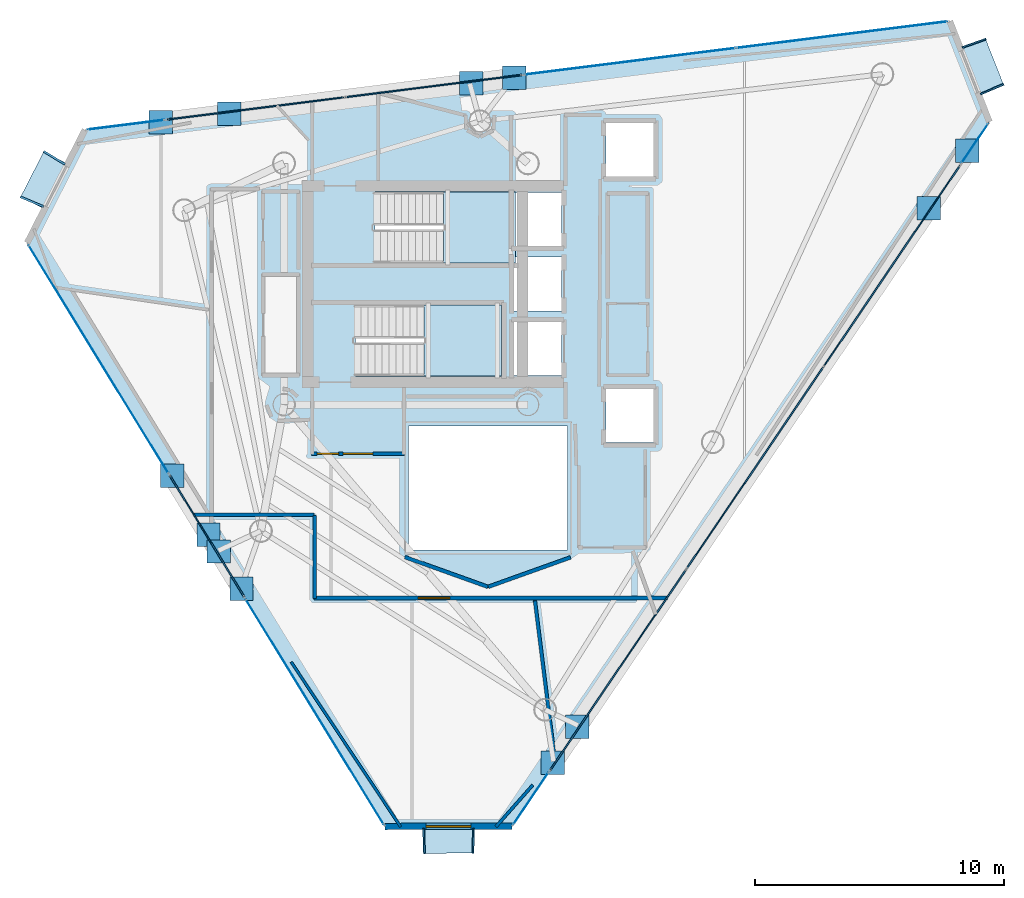
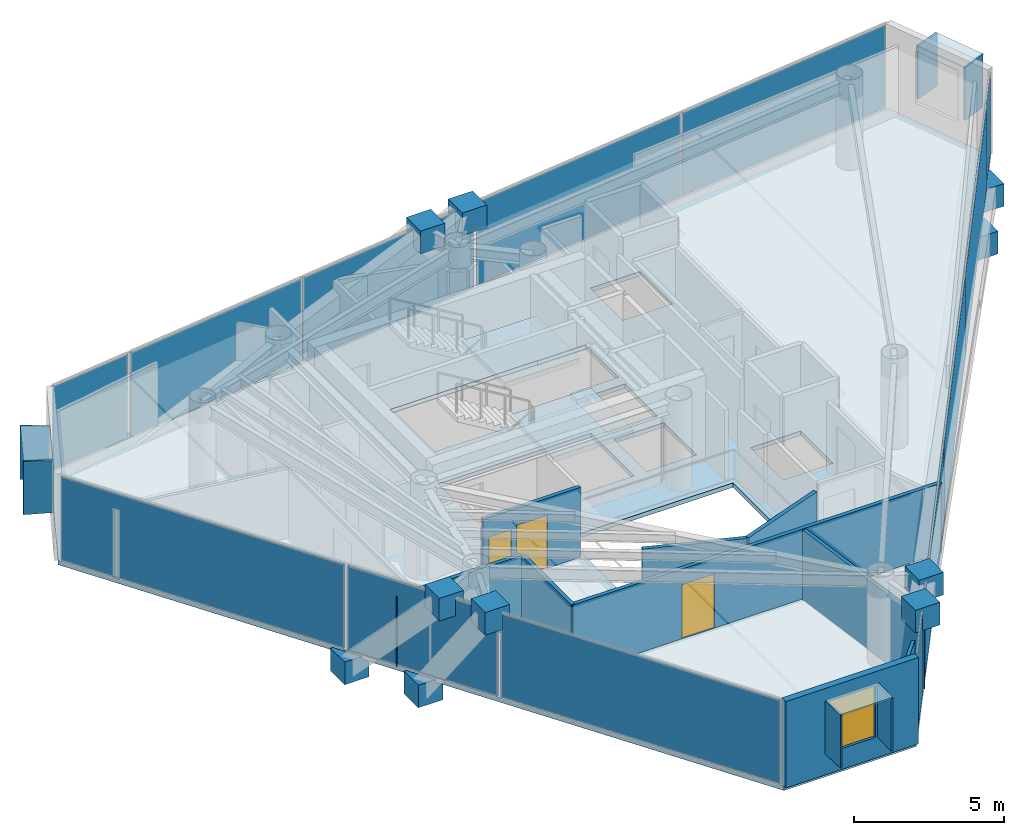
# One storey, part 18 of 23: 34 plates, 10 walls, 3 doors, 3 slabs, 1 window, 4 openings, 11 elements without a shape of their own.
"""IFC4 building model written with IfcOpenShell, lengths in metres."""

from ifc_helpers import new_model, si_unit, direction, frame, frame_2d, origin, origin_2d, place, context, subcontext, project, spatial, polyline, rectangle, outline, extrude, material, layer, layer_set, type_object, element, fill, aggregate, save


model = new_model("IFC4")

# Units and contexts
model_context = context("Model", 3, precision=1e-05, world=origin(), true_north=direction((0.0, 1.0)))
body_context = subcontext(model_context, "Body", "Model", "MODEL_VIEW")
ifc_project = project(units=[si_unit("LENGTHUNIT", "METRE"), si_unit("AREAUNIT", "SQUARE_METRE"), si_unit("VOLUMEUNIT", "CUBIC_METRE"), si_unit("PLANEANGLEUNIT", "RADIAN"), si_unit("MASSUNIT", "GRAM", prefix="KILO")], contexts=[model_context])

# Site, building, storey
site_placement = place(None, origin())
site = spatial("IfcSite", under=ifc_project, at=site_placement, CompositionType="ELEMENT")
building_placement = place(site_placement, origin())
building = spatial("IfcBuilding", under=site, at=building_placement, Name="Qianvela Tower", CompositionType="ELEMENT")
storey_placement = place(building_placement, frame((0.0, 0.0, 284.300048828125)))
storey = spatial("IfcBuildingStorey", under=building, at=storey_placement, Name="L73", CompositionType="ELEMENT", Elevation=284.300048828125)

# Curtain wall, plates
ifc_material_1 = material(Name="Anodised Architectural Aluminium and Insulated Spandrel Panel", Category="aluminium")
ifc_layer_1 = layer(ifc_material_1, 0.179931640625)
ifc_layer_set_1 = layer_set([ifc_layer_1], Name="Anodised Architectural Aluminium and Insulated Spandrel Panel")
curtain_wall_type_1 = type_object("IfcCurtainWallType", Name="CW-BRACEBAY", PredefinedType="USERDEFINED", material=ifc_layer_set_1)
curtain_wall_1_placement = place(storey_placement, origin())
curtain_wall_1 = element("IfcCurtainWall", 1, at=curtain_wall_1_placement, inside=storey, type_object=curtain_wall_type_1, Name="L73 CW-BRACEBAY Curtain Wall 02B", ObjectType="CURTAIN_WALL_SYSTEM", PredefinedType="USERDEFINED")
ifc_material_2 = material(Name="Insulated Aluminium Spandrel Panel with Mineral-Wool Backpan", Category="aluminium")
ifc_layer_2 = layer(ifc_material_2, 0.06005859375)
ifc_layer_set_2 = layer_set([ifc_layer_2], Name="Insulated Aluminium Spandrel Panel with Mineral-Wool Backpan")
plate_type_1 = type_object("IfcPlateType", Name="CW-BRACEBAY-PNL", PredefinedType="CURTAIN_PANEL", material=ifc_layer_set_2)
plate_1_placement = place(storey_placement, frame((34.612548828125, 36.655517578125, 0.06494140625), z_axis=(0.0, 0.0, 1.0), x_axis=(-0.992186234389, -0.124765685539, 0.0)))
plate_1 = element("IfcPlate", 2, at=plate_1_placement, type_object=plate_type_1, Name="CW-9 panel 1.1", PredefinedType="CURTAIN_PANEL", context=body_context, shape_type="SweptSolid", body=[
    extrude(rectangle(XDim=7.142578125, YDim=0.06005859375, at=origin_2d()), origin(), (0.0, 0.0, 1.0), 3.389892578125),
])
plate_2_placement = place(storey_placement, frame((27.46142578125, 35.75634765625, 0.06494140625), z_axis=(0.0, 0.0, 1.0), x_axis=(-0.992186234389, -0.124765685539, 0.0)))
plate_2 = element("IfcPlate", 3, at=plate_2_placement, type_object=plate_type_1, Name="CW-9 panel 2.1", PredefinedType="CURTAIN_PANEL", context=body_context, shape_type="SweptSolid", body=[
    extrude(rectangle(XDim=7.142578125, YDim=0.06005859375, at=origin_2d()), origin(), (0.0, 0.0, 1.0), 3.389892578125),
])
aggregate(curtain_wall_1, [plate_1, plate_2])

# Curtain wall, plate
curtain_wall_2_placement = place(storey_placement, origin())
curtain_wall_2 = element("IfcCurtainWall", 4, at=curtain_wall_2_placement, inside=storey, type_object=curtain_wall_type_1, Name="L73 CW-BRACEBAY Curtain Wall 04B", ObjectType="CURTAIN_WALL_SYSTEM", PredefinedType="USERDEFINED")
plate_3_placement = place(storey_placement, frame((25.505859375, 18.56494140625, 0.06494140625), z_axis=(0.0, 0.0, 1.0), x_axis=(0.522790496733, -0.852461199425, 0.0)))
plate_3 = element("IfcPlate", 5, at=plate_3_placement, type_object=plate_type_1, Name="CW-9 panel 1.1", PredefinedType="CURTAIN_PANEL", context=body_context, shape_type="SweptSolid", body=[
    extrude(rectangle(XDim=5.699951171875, YDim=0.06005859375, at=origin_2d()), origin(), (0.0, 0.0, 1.0), 3.389892578125),
])
aggregate(curtain_wall_2, [plate_3])

# Curtain wall, plates
curtain_wall_3_placement = place(storey_placement, origin())
curtain_wall_3 = element("IfcCurtainWall", 6, at=curtain_wall_3_placement, inside=storey, type_object=curtain_wall_type_1, Name="L73 CW-BRACEBAY Curtain Wall 06B", ObjectType="CURTAIN_WALL_SYSTEM", PredefinedType="USERDEFINED")
plate_4_placement = place(storey_placement, frame((42.024658203125, 13.189697265625, 0.06494140625), z_axis=(0.0, 0.0, 1.0), x_axis=(0.561030991922, 0.827794797098, 0.0)))
plate_4 = element("IfcPlate", 7, at=plate_4_placement, type_object=plate_type_1, Name="CW-9 panel 1.1", PredefinedType="CURTAIN_PANEL", context=body_context, shape_type="SweptSolid", body=[
    extrude(rectangle(XDim=9.729248046875, YDim=0.06005859375, at=origin_2d()), origin(), (0.0, 0.0, 1.0), 3.389892578125),
])
plate_5_placement = place(storey_placement, frame((47.52880859375, 21.310546875, 0.06494140625), z_axis=(0.0, 0.0, 1.0), x_axis=(0.561030991922, 0.827794797098, 0.0)))
plate_5 = element("IfcPlate", 8, at=plate_5_placement, type_object=plate_type_1, Name="CW-9 panel 2.1", PredefinedType="CURTAIN_PANEL", context=body_context, shape_type="SweptSolid", body=[
    extrude(rectangle(XDim=9.76171875, YDim=0.06005859375, at=origin_2d()), origin(), (0.0, 0.0, 1.0), 3.389892578125),
])
plate_6_placement = place(storey_placement, frame((53.03271484375, 29.431640625, 0.06494140625), z_axis=(0.0, 0.0, 1.0), x_axis=(0.561030991922, 0.827794797098, 0.0)))
plate_6 = element("IfcPlate", 9, at=plate_6_placement, type_object=plate_type_1, Name="CW-9 panel 3.1", PredefinedType="CURTAIN_PANEL", context=body_context, shape_type="SweptSolid", body=[
    extrude(rectangle(XDim=9.729248046875, YDim=0.06005859375, at=origin_2d()), origin(), (0.0, 0.0, 1.0), 3.389892578125),
])
aggregate(curtain_wall_3, [plate_4, plate_5, plate_6])

ifc_material_3 = material(Name="Anodised Architectural Aluminium and Low-E Glass", Category="aluminium")
ifc_layer_3 = layer(ifc_material_3, 0.14990234375)
ifc_layer_set_3 = layer_set([ifc_layer_3], Name="Anodised Architectural Aluminium and Low-E Glass")
curtain_wall_type_2 = type_object("IfcCurtainWallType", Name="CW-COLIV-Z78", PredefinedType="USERDEFINED", material=ifc_layer_set_3)
curtain_wall_4_placement = place(storey_placement, origin())
curtain_wall_4 = element("IfcCurtainWall", 10, at=curtain_wall_4_placement, inside=storey, type_object=curtain_wall_type_2, Name="L73 CW-COLIV-Z78 Curtain Wall 02A", ObjectType="CURTAIN_WALL_SYSTEM", PredefinedType="USERDEFINED")
ifc_material_4 = material(Name="Double-Silver Low-E Insulated Glass", Category="glass")
ifc_layer_4 = layer(ifc_material_4, 0.02587890625)
ifc_layer_set_4 = layer_set([ifc_layer_4], Name="Double-Silver Low-E Insulated Glass")
plate_type_2 = type_object("IfcPlateType", Name="CW-COLIV-Z78-PNL", PredefinedType="CURTAIN_PANEL", material=ifc_layer_set_4)
plate_7_placement = place(storey_placement, frame((51.01953125, 38.71875, 0.06005859375), z_axis=(0.0, 0.0, 1.0), x_axis=(-0.992186750354, -0.124761582312, 0.0)))
plate_7 = element("IfcPlate", 11, at=plate_7_placement, type_object=plate_type_2, Name="CW-6 panel 1.1", PredefinedType="CURTAIN_PANEL", context=body_context, shape_type="SweptSolid", body=[
    extrude(rectangle(XDim=8.52001953125, YDim=0.02587890625, at=origin_2d()), origin(), (0.0, 0.0, 1.0), 3.39990234375),
])
plate_8_placement = place(storey_placement, frame((42.506591796875, 37.648193359375, 0.06005859375), z_axis=(0.0, 0.0, 1.0), x_axis=(-0.992186750354, -0.124761582312, 0.0)))
plate_8 = element("IfcPlate", 12, at=plate_8_placement, type_object=plate_type_2, Name="CW-6 panel 2.1", PredefinedType="CURTAIN_PANEL", context=body_context, shape_type="SweptSolid", body=[
    extrude(rectangle(XDim=8.52001953125, YDim=0.02587890625, at=origin_2d()), origin(), (0.0, 0.0, 1.0), 3.39990234375),
])
aggregate(curtain_wall_4, [plate_7, plate_8])

# Curtain wall, plate
curtain_wall_5_placement = place(storey_placement, origin())
curtain_wall_5 = element("IfcCurtainWall", 13, at=curtain_wall_5_placement, inside=storey, type_object=curtain_wall_type_2, Name="L73 CW-COLIV-Z78 Curtain Wall 02C", ObjectType="CURTAIN_WALL_SYSTEM", PredefinedType="USERDEFINED")
plate_9_placement = place(storey_placement, frame((22.2529296875, 35.1015625, 0.06005859375), z_axis=(0.0, 0.0, 1.0), x_axis=(-0.992187007824, -0.124759534724, 0.0)))
plate_9 = element("IfcPlate", 14, at=plate_9_placement, type_object=plate_type_2, Name="CW-6 panel 1.1", PredefinedType="CURTAIN_PANEL", context=body_context, shape_type="SweptSolid", body=[
    extrude(rectangle(XDim=3.106201171875, YDim=0.02587890625, at=origin_2d()), origin(), (0.0, 0.0, 1.0), 3.39990234375),
])
aggregate(curtain_wall_5, [plate_9])

curtain_wall_6_placement = place(storey_placement, origin())
curtain_wall_6 = element("IfcCurtainWall", 15, at=curtain_wall_6_placement, inside=storey, type_object=curtain_wall_type_2, Name="L73 CW-COLIV-Z78 Curtain Wall 04A", ObjectType="CURTAIN_WALL_SYSTEM", PredefinedType="USERDEFINED")
plate_10_placement = place(storey_placement, frame((21.143310546875, 25.6787109375, 0.06005859375), z_axis=(0.0, 0.0, 1.0), x_axis=(0.522798042011, -0.852456572072, 0.0)))
plate_10 = element("IfcPlate", 16, at=plate_10_placement, type_object=plate_type_2, Name="CW-6 panel 1.1", PredefinedType="CURTAIN_PANEL", context=body_context, shape_type="SweptSolid", body=[
    extrude(rectangle(XDim=10.739990234375, YDim=0.02587890625, at=origin_2d()), origin(), (0.0, 0.0, 1.0), 3.39990234375),
])
aggregate(curtain_wall_6, [plate_10])

curtain_wall_7_placement = place(storey_placement, origin())
curtain_wall_7 = element("IfcCurtainWall", 17, at=curtain_wall_7_placement, inside=storey, type_object=curtain_wall_type_2, Name="L73 CW-COLIV-Z78 Curtain Wall 04C", ObjectType="CURTAIN_WALL_SYSTEM", PredefinedType="USERDEFINED")
plate_11_placement = place(storey_placement, frame((29.833251953125, 11.5087890625, 0.06005859375), z_axis=(0.0, 0.0, 1.0), x_axis=(0.522796211355, -0.852457694782, 0.0)))
plate_11 = element("IfcPlate", 18, at=plate_11_placement, type_object=plate_type_2, Name="CW-6 panel 1.1", PredefinedType="CURTAIN_PANEL", context=body_context, shape_type="SweptSolid", body=[
    extrude(rectangle(XDim=10.604736328125, YDim=0.02587890625, at=origin_2d()), origin(), (0.0, 0.0, 1.0), 3.39990234375),
])
aggregate(curtain_wall_7, [plate_11])

curtain_wall_8_placement = place(storey_placement, origin())
curtain_wall_8 = element("IfcCurtainWall", 19, at=curtain_wall_8_placement, inside=storey, type_object=curtain_wall_type_2, Name="L73 CW-COLIV-Z78 Curtain Wall 06A", ObjectType="CURTAIN_WALL_SYSTEM", PredefinedType="USERDEFINED")
plate_12_placement = place(storey_placement, frame((38.527099609375, 8.028564453125, 0.06005859375), z_axis=(0.0, 0.0, 1.0), x_axis=(0.561015032882, 0.827805612979, 0.0)))
plate_12 = element("IfcPlate", 20, at=plate_12_placement, type_object=plate_type_2, Name="CW-6 panel 1.1", PredefinedType="CURTAIN_PANEL", context=body_context, shape_type="SweptSolid", body=[
    extrude(rectangle(XDim=2.489990234375, YDim=0.02587890625, at=origin_2d()), origin(), (0.0, 0.0, 1.0), 3.39990234375),
])
aggregate(curtain_wall_8, [plate_12])

curtain_wall_9_placement = place(storey_placement, origin())
curtain_wall_9 = element("IfcCurtainWall", 21, at=curtain_wall_9_placement, inside=storey, type_object=curtain_wall_type_2, Name="L73 CW-COLIV-Z78 Curtain Wall 06C", ObjectType="CURTAIN_WALL_SYSTEM", PredefinedType="USERDEFINED")
plate_13_placement = place(storey_placement, frame((56.360595703125, 34.342041015625, 0.06005859375), z_axis=(0.0, 0.0, 1.0), x_axis=(0.561004777465, 0.827812563122, 0.0)))
plate_13 = element("IfcPlate", 22, at=plate_13_placement, type_object=plate_type_2, Name="CW-6 panel 1.1", PredefinedType="CURTAIN_PANEL", context=body_context, shape_type="SweptSolid", body=[
    extrude(rectangle(XDim=1.884521484375, YDim=0.02587890625, at=origin_2d()), origin(), (0.0, 0.0, 1.0), 3.39990234375),
])
aggregate(curtain_wall_9, [plate_13])

# Plates
ifc_material_5 = material(Name="Steel Q420GJC", Category="steel")
ifc_layer_5 = layer(ifc_material_5, 0.1298828125)
ifc_layer_set_5 = layer_set([ifc_layer_5], Name="Steel Q420GJC")
plate_type_3 = type_object("IfcPlateType", Name="PT-ENDCAP-130", PredefinedType="USERDEFINED", material=ifc_layer_set_5)
for number, where, z_axis, x_axis, name in (
    (23, (26.4013671875, 35.54248046875, -0.96044921875), (0.0, 0.0, 1.0), (1.0, 0.0, 0.0), "L73 Hollow Section End Cap Plate A"),
    (24, (37.859375, 36.983154296875, 2.776611328125), (0.0, 0.0, 1.0), (1.0, 0.0, 0.0), "L73 Hollow Section End Cap Plate B"),
    (25, (23.64111328125, 35.1953125, -0.959228515625), (0.0, 0.0, 1.0), (1.0, 0.0, 0.0), "L73 Hollow Section End Cap Plate A"),
    (26, (36.120849609375, 36.7646484375, 2.775146484375), (0.0, 0.0, 1.0), (1.0, 0.0, 0.0), "L73 Hollow Section End Cap Plate B"),
    (27, (24.106689453125, 20.9990234375, -0.985595703125), (0.0, 0.0, 1.0), (1.0, 0.0, 0.0), "L73 Hollow Section End Cap Plate A"),
    (28, (25.97900390625, 17.94677734375, 2.801513671875), (0.0, 0.0, 1.0), (1.0, 0.0, 0.0), "L73 Hollow Section End Cap Plate B"),
    (29, (25.565185546875, 18.621337890625, -0.991943359375), (0.0, 0.0, 1.0), (1.0, 0.0, 0.0), "L73 Hollow Section End Cap Plate A"),
    (30, (26.89111328125, 16.45947265625, 2.807861328125), (0.0, 0.0, 1.0), (1.0, 0.0, 0.0), "L73 Hollow Section End Cap Plate B"),
    (31, (54.5068359375, 31.74951171875, -0.9501953125), (0.0, 0.0, 1.0), (1.0, 0.0, 0.0), "L73 Hollow Section End Cap Plate A"),
    (32, (39.39990234375, 9.458984375, 2.76611328125), (0.0, 0.0, 1.0), (1.0, 0.0, 0.0), "L73 Hollow Section End Cap Plate B"),
    (33, (56.0673828125, 34.052001953125, -0.949951171875), (0.0, 0.0, 1.0), (1.0, 0.0, 0.0), "L73 Hollow Section End Cap Plate A"),
    (34, (40.3828125, 10.90966796875, 2.765869140625), (0.0, 0.0, 1.0), (1.0, 0.0, 0.0), "L73 Hollow Section End Cap Plate B"),
):
    element("IfcPlate", number, at=place(storey_placement, frame(where, z_axis=z_axis, x_axis=x_axis)), inside=storey, type_object=plate_type_3, Name=name, ObjectType="END_CAP", PredefinedType="USERDEFINED", context=body_context, shape_type="SweptSolid", body=[
        extrude(rectangle(XDim=0.93994140625, YDim=0.93994140625, at=origin_2d()), origin(), (0.0, 0.0, 1.0), 0.919921875),
    ])

# Slab
ifc_material_6 = material(Name="Concrete C40", Category="concrete")
ifc_layer_6 = layer(ifc_material_6, 0.179931640625)
ifc_layer_set_6 = layer_set([ifc_layer_6], Name="Concrete C40")
slab_type_1 = type_object("IfcSlabType", Name="SL-FLOOR-180", PredefinedType="FLOOR", material=ifc_layer_set_6)
slab_1_placement = place(storey_placement, frame((0.0, 0.0, -0.179931640625)))
element("IfcSlab", 35, at=slab_1_placement, inside=storey, type_object=slab_type_1, Name="L73 Composite Structural Floor Slab", PredefinedType="FLOOR", context=body_context, shape_type="SweptSolid", body=[
    extrude(outline(polyline([(56.950927734375, 35.212890625), (55.35546875, 39.263916015625), (20.602783203125, 34.89404296875), (18.2783203125, 30.35009765625), (32.662841796875, 6.89501953125), (37.766845703125, 6.906982421875), (56.950927734375, 35.212890625)]), holes=[polyline([(40.0, 23.0), (33.60009765625, 23.0), (33.60009765625, 18.0), (40.0, 18.0), (40.0, 23.0)]), polyline([(43.4599609375, 24.47998046875), (41.5400390625, 24.47998046875), (41.5400390625, 22.320068359375), (43.4599609375, 22.320068359375), (43.4599609375, 24.47998046875)]), polyline([(39.760009765625, 27.179931640625), (37.840087890625, 27.179931640625), (37.840087890625, 25.02001953125), (39.760009765625, 25.02001953125), (39.760009765625, 27.179931640625)]), polyline([(37.35009765625, 27.860107421875), (31.469970703125, 27.860107421875), (31.469970703125, 25.0), (37.35009765625, 25.0), (37.35009765625, 27.860107421875)]), polyline([(39.760009765625, 27.6201171875), (39.760009765625, 29.780029296875), (37.89990234375, 29.780029296875), (37.89990234375, 30.219970703125), (39.760009765625, 30.219970703125), (39.760009765625, 32.3798828125), (37.89990234375, 32.3798828125), (37.89990234375, 32.39990234375), (32.25, 32.39990234375), (32.25, 29.5400390625), (37.840087890625, 29.5400390625), (37.840087890625, 27.6201171875), (39.760009765625, 27.6201171875)]), polyline([(43.4599609375, 35.179931640625), (41.5400390625, 35.179931640625), (41.5400390625, 33.02001953125), (43.4599609375, 33.02001953125), (43.4599609375, 35.179931640625)])]), origin(), (0.0, 0.0, 1.0), 0.179931640625),
])

# Stair, slab
ifc_material_7 = material(Name="Concrete C40", Category="concrete")
stair_type = type_object("IfcStairType", Name="ST-DOGLEG-1350-R168-N22", PredefinedType="HALF_TURN_STAIR", material=ifc_material_7)
stair_1_placement = place(storey_placement, origin())
stair_1 = element("IfcStair", 36, at=stair_1_placement, inside=storey, type_object=stair_type, Name="L73 Smoke-Proof Core Stair ST-1", PredefinedType="HALF_TURN_STAIR")
ifc_material_8 = material(Name="Concrete C40", Category="concrete")
ifc_layer_7 = layer(ifc_material_8, 0.199951171875)
ifc_layer_set_7 = layer_set([ifc_layer_7], Name="Concrete C40")
slab_type_2 = type_object("IfcSlabType", Name="SL-STAIR-LANDING-200", PredefinedType="LANDING", material=ifc_layer_set_7)
slab_2_placement = place(storey_placement, frame((0.0, 0.0, 1.64990234375)))
slab_2 = element("IfcSlab", 37, at=slab_2_placement, type_object=slab_type_2, Name="ST-1 landing 1", PredefinedType="LANDING", context=body_context, shape_type="SweptSolid", body=[
    extrude(outline(polyline([(35.0, 29.5400390625), (37.89990234375, 29.5400390625), (37.89990234375, 32.39990234375), (35.0, 32.39990234375), (35.0, 29.5400390625)])), origin(), (0.0, 0.0, 1.0), 0.199951171875),
])
aggregate(stair_1, [slab_2])

stair_2_placement = place(storey_placement, origin())
stair_2 = element("IfcStair", 38, at=stair_2_placement, inside=storey, type_object=stair_type, Name="L73 Smoke-Proof Core Stair ST-2", PredefinedType="HALF_TURN_STAIR")
slab_3_placement = place(storey_placement, frame((0.0, 0.0, 1.64990234375)))
slab_3 = element("IfcSlab", 39, at=slab_3_placement, type_object=slab_type_2, Name="ST-2 landing 1", PredefinedType="LANDING", context=body_context, shape_type="SweptSolid", body=[
    extrude(outline(polyline([(34.219970703125, 25.0), (37.35009765625, 25.0), (37.35009765625, 27.860107421875), (34.219970703125, 27.860107421875), (34.219970703125, 25.0)])), origin(), (0.0, 0.0, 1.0), 0.199951171875),
])
aggregate(stair_2, [slab_3])

# Plates
ifc_material_9 = material(Name="Vitrified Architectural Terracotta Panel", Category="masonry")
ifc_layer_8 = layer(ifc_material_9, 0.06494140625)
ifc_layer_set_8 = layer_set([ifc_layer_8], Name="Vitrified Architectural Terracotta Panel")
plate_type_4 = type_object("IfcPlateType", Name="TERRACOTTA-SUNSHADE-HOOD-FOLD-B", PredefinedType="USERDEFINED", material=ifc_layer_set_8)
for number, where, z_axis, x_axis, name in (
    (40, (56.697509765625, 37.452880859375, 2.9599609375), (0.0, 0.0, 1.0), (-0.366462253163, 0.930432919133, 0.0), "L73 Terracotta Sunshade Hood FOLD-B"),
    (41, (35.21630859375, 6.31591796875, 2.9599609375), (0.0, 0.0, 1.0), (0.999997236498, 0.002350956337, 0.0), "L73 Terracotta Sunshade Hood FOLD-B"),
):
    element("IfcPlate", number, at=place(storey_placement, frame(where, z_axis=z_axis, x_axis=x_axis)), inside=storey, type_object=plate_type_4, Name=name, ObjectType="SUNSHADE", PredefinedType="USERDEFINED", context=body_context, shape_type="SweptSolid", body=[
        extrude(rectangle(XDim=2.0400390625, YDim=0.989990234375, at=origin_2d()), origin(), (0.0, 0.0, 1.0), 0.06005859375),
    ])
ifc_material_10 = material(Name="Vitrified Architectural Terracotta Panel", Category="masonry")
ifc_layer_9 = layer(ifc_material_10, 0.074951171875)
ifc_layer_set_9 = layer_set([ifc_layer_9], Name="Vitrified Architectural Terracotta Panel")
plate_type_5 = type_object("IfcPlateType", Name="TERRACOTTA-SUNSHADE-HOOD-FOLD-D", PredefinedType="USERDEFINED", material=ifc_layer_set_9)
plate_14_placement = place(storey_placement, frame((18.919921875, 32.888427734375, 2.9599609375), z_axis=(0.0, 0.0, 1.0), x_axis=(-0.45544702047, -0.890262889008, 0.0)))
element("IfcPlate", 42, at=plate_14_placement, inside=storey, type_object=plate_type_5, Name="L73 Terracotta Sunshade Hood FOLD-D", ObjectType="SUNSHADE", PredefinedType="USERDEFINED", context=body_context, shape_type="SweptSolid", body=[
    extrude(rectangle(XDim=2.0400390625, YDim=0.989990234375, at=origin_2d()), origin(), (0.0, 0.0, 1.0), 0.06005859375),
])
ifc_material_11 = material(Name="Vitrified Architectural Terracotta Side Fin Panel", Category="masonry")
ifc_layer_10 = layer(ifc_material_11, 0.070068359375)
ifc_layer_set_10 = layer_set([ifc_layer_10], Name="Vitrified Architectural Terracotta Side Fin Panel")
plate_type_6 = type_object("IfcPlateType", Name="TERRACOTTA-SUNSHADE-STRUT-FOLD-B", PredefinedType="USERDEFINED", material=ifc_layer_set_10)
for number, where, z_axis, x_axis, name in (
    (43, (57.060302734375, 36.53173828125, 0.85009765625), (0.0, 0.0, 1.0), (-0.394705369802, 0.918807744335, 0.0), "L73 Terracotta Sunshade Side Fin HL FOLD-B"),
    (44, (56.334716796875, 38.3740234375, 0.85009765625), (0.0, 0.0, 1.0), (-0.337877293818, 0.941190169053, 0.0), "L73 Terracotta Sunshade Side Fin HR FOLD-B"),
    (45, (34.226318359375, 6.313720703125, 0.85009765625), (0.0, 0.0, 1.0), (0.999459033913, 0.032888288646, 0.0), "L73 Terracotta Sunshade Side Fin HL FOLD-B"),
    (46, (36.206298828125, 6.318359375, 0.85009765625), (0.0, 0.0, 1.0), (0.999602623335, -0.028188568987, 0.0), "L73 Terracotta Sunshade Side Fin HR FOLD-B"),
):
    element("IfcPlate", number, at=place(storey_placement, frame(where, z_axis=z_axis, x_axis=x_axis)), inside=storey, type_object=plate_type_6, Name=name, ObjectType="SUNSHADE", PredefinedType="USERDEFINED", context=body_context, shape_type="SweptSolid", body=[
        extrude(rectangle(XDim=0.070068359375, YDim=1.010009765625, at=origin_2d()), origin(), (0.0, 0.0, 1.0), 2.159912109375),
    ])
ifc_material_12 = material(Name="Vitrified Architectural Terracotta Side Fin Panel", Category="masonry")
ifc_layer_11 = layer(ifc_material_12, 0.080078125)
ifc_layer_set_11 = layer_set([ifc_layer_11], Name="Vitrified Architectural Terracotta Side Fin Panel")
plate_type_7 = type_object("IfcPlateType", Name="TERRACOTTA-SUNSHADE-STRUT-FOLD-D", PredefinedType="USERDEFINED", material=ifc_layer_set_11)
for number, where, z_axis, x_axis, name in (
    (47, (19.37060546875, 33.769775390625, 0.85009765625), (0.0, 0.0, 1.0), (-0.520170664048, -0.8540623398, 0.0), "L73 Terracotta Sunshade Side Fin HL FOLD-D"),
    (48, (18.468994140625, 32.007080078125, 0.85009765625), (0.0, 0.0, 1.0), (-0.388218586885, -0.921567321902, 0.0), "L73 Terracotta Sunshade Side Fin HR FOLD-D"),
):
    element("IfcPlate", number, at=place(storey_placement, frame(where, z_axis=z_axis, x_axis=x_axis)), inside=storey, type_object=plate_type_7, Name=name, ObjectType="SUNSHADE", PredefinedType="USERDEFINED", context=body_context, shape_type="SweptSolid", body=[
        extrude(rectangle(XDim=0.080078125, YDim=1.010009765625, at=origin_2d()), origin(), (0.0, 0.0, 1.0), 2.159912109375),
    ])

# Wall, opening, window
ifc_material_13 = material(Name="Terracotta Cladding on Concrete C40", Category="masonry")
ifc_layer_12 = layer(ifc_material_13, 0.260009765625)
ifc_layer_set_12 = layer_set([ifc_layer_12], Name="Terracotta Cladding on Concrete C40")
wall_type_1 = type_object("IfcWallType", Name="TERRACOTTA-WALL-260", PredefinedType="SOLIDWALL", material=ifc_layer_set_12)
wall_1_placement = place(storey_placement, frame((32.662841796875, 6.89501953125, 0.0), z_axis=(0.0, 0.0, 1.0), x_axis=(0.999997253254, 0.002343818301, 0.0)))
wall_1 = element("IfcWall", 49, at=wall_1_placement, inside=storey, type_object=wall_type_1, Name="L73 Terracotta Chamfer Facet Wall 5", PredefinedType="SOLIDWALL", context=body_context, shape_type="SweptSolid", body=[
    extrude(rectangle(XDim=5.10400390625, YDim=0.260009765625, at=frame_2d((2.552001953125, 0.0))), origin(), (0.0, 0.0, 1.0), 3.52001953125),
])
opening_1_placement = place(wall_1_placement, frame((1.652099609375, 0.0, 0.85009765625)))
opening_1 = element("IfcOpeningElement", 50, at=opening_1_placement, cuts=wall_1, Name="Opening W-01", PredefinedType="OPENING", context=body_context, shape_type="SweptSolid", body=[
    extrude(rectangle(XDim=1.800048828125, YDim=2.10009765625, at=frame_2d((0.89990234375, 1.050048828125))), frame((0.0, 0.139892578125, 0.0), z_axis=(0.0, -1.0, 0.0), x_axis=(1.0, 0.0, 0.0)), (0.0, 0.0, 1.0), 0.280029296875),
])
ifc_material_14 = material(Name="Thermally Broken Aluminium and Low-E Glass", Category="aluminium")
window_type = type_object("IfcWindowType", Name="WIN-TC-1800x2100", PartitioningType="DOUBLE_PANEL_VERTICAL", PredefinedType="WINDOW", material=ifc_material_14)
window_placement = place(opening_1_placement, origin())
window = element("IfcWindow", 51, at=window_placement, inside=storey, type_object=window_type, Name="L73 Chamfer Facet Window 5.1", OverallHeight=2.10009765625, OverallWidth=1.800048828125, PartitioningType="SINGLE_PANEL", PredefinedType="WINDOW", context=body_context, shape_type="SweptSolid", body=[
    extrude(rectangle(XDim=1.800048828125, YDim=2.10009765625, at=frame_2d((0.89990234375, 1.050048828125))), frame((0.0, 0.030029296875, 0.0), z_axis=(0.0, -1.0, 0.0), x_axis=(1.0, 0.0, 0.0)), (0.0, 0.0, 1.0), 0.06005859375),
])
fill(opening_1, window)

# Wall, openings, doors
ifc_material_15 = material(Name="Fire-Rated Acoustic Gypsum Board")
ifc_layer_13 = layer(ifc_material_15, 0.14990234375)
ifc_layer_set_13 = layer_set([ifc_layer_13], Name="Fire-Rated Acoustic Gypsum Board")
wall_type_2 = type_object("IfcWallType", Name="WT-CORR-150", PredefinedType="PARTITIONING", material=ifc_layer_set_13)
wall_2_placement = place(storey_placement, frame((33.449951171875, 21.881103515625, 0.0), z_axis=(0.0, 0.0, 1.0), x_axis=(-1.0, 0.0, 0.0)))
wall_2 = element("IfcWall", 52, at=wall_2_placement, inside=storey, type_object=wall_type_2, Name="L73 Partition 5", PredefinedType="PARTITIONING", context=body_context, shape_type="SweptSolid", body=[
    extrude(rectangle(XDim=3.75, YDim=0.14990234375, at=frame_2d((1.875, 0.0))), origin(), (0.0, 0.0, 1.0), 2.83984375),
])
opening_2_placement = place(wall_2_placement, frame((1.27490234375, 0.0, 0.0)))
opening_2 = element("IfcOpeningElement", 53, at=opening_2_placement, cuts=wall_2, Name="Opening D-LB1", PredefinedType="OPENING", context=body_context, shape_type="SweptSolid", body=[
    extrude(rectangle(XDim=1.199951171875, YDim=2.14990234375, at=frame_2d((0.60009765625, 1.074951171875))), frame((0.0, 0.0849609375, 0.0), z_axis=(0.0, -1.0, 0.0), x_axis=(1.0, 0.0, 0.0)), (0.0, 0.0, 1.0), 0.169921875),
])
opening_3_placement = place(wall_2_placement, frame((2.659912109375, 0.0, 0.0)))
opening_3 = element("IfcOpeningElement", 54, at=opening_3_placement, cuts=wall_2, Name="Opening D-LB2", PredefinedType="OPENING", context=body_context, shape_type="SweptSolid", body=[
    extrude(rectangle(XDim=0.860107421875, YDim=2.050048828125, at=frame_2d((0.43017578125, 1.02490234375))), frame((0.0, 0.0849609375, 0.0), z_axis=(0.0, -1.0, 0.0), x_axis=(1.0, 0.0, 0.0)), (0.0, 0.0, 1.0), 0.169921875),
])
ifc_material_16 = material(Name="Glazed Fire-Rated Steel Frame", Category="steel")
door_type_1 = type_object("IfcDoorType", Name="DT-LOBBY-FD90", OperationType="NOTDEFINED", PredefinedType="DOOR", material=ifc_material_16)
door_1_placement = place(opening_2_placement, origin())
door_1 = element("IfcDoor", 55, at=door_1_placement, inside=storey, type_object=door_type_1, Name="L73 Door L73 Firefighting Lobby South to L73 Floor Corridor", OperationType="SINGLE_SWING_LEFT", OverallHeight=2.14990234375, OverallWidth=1.199951171875, PredefinedType="DOOR", context=body_context, shape_type="SweptSolid", body=[
    extrude(rectangle(XDim=1.199951171875, YDim=2.14990234375, at=frame_2d((0.60009765625, 1.074951171875))), frame((0.0, 0.02490234375, 0.0), z_axis=(0.0, -1.0, 0.0), x_axis=(1.0, 0.0, 0.0)), (0.0, 0.0, 1.0), 0.050048828125),
])
fill(opening_2, door_1)
ifc_material_17 = material(Name="Insulated Steel Fire Door Q355B", Category="steel")
door_type_2 = type_object("IfcDoorType", Name="DT-LOBBY-FD90-860", OperationType="NOTDEFINED", PredefinedType="DOOR", material=ifc_material_17)
door_2_placement = place(opening_3_placement, origin())
door_2 = element("IfcDoor", 56, at=door_2_placement, inside=storey, type_object=door_type_2, Name="L73 Door L73 Firefighting Lobby South to L73 Floor Corridor", OperationType="SINGLE_SWING_LEFT", OverallHeight=2.050048828125, OverallWidth=0.860107421875, PredefinedType="DOOR", context=body_context, shape_type="SweptSolid", body=[
    extrude(rectangle(XDim=0.860107421875, YDim=2.050048828125, at=frame_2d((0.43017578125, 1.02490234375))), frame((0.0, 0.02490234375, 0.0), z_axis=(0.0, -1.0, 0.0), x_axis=(1.0, 0.0, 0.0)), (0.0, 0.0, 1.0), 0.050048828125),
])
fill(opening_3, door_2)

# Walls
wall_3_placement = place(storey_placement, frame((33.45751953125, 17.723876953125, 0.0), z_axis=(0.0, 0.0, 1.0), x_axis=(0.94128854789, -0.337603124408, 0.0)))
element("IfcWall", 57, at=wall_3_placement, inside=storey, type_object=wall_type_2, Name="L73 Partition 66", PredefinedType="PARTITIONING", context=body_context, shape_type="SweptSolid", body=[
    extrude(rectangle(XDim=3.539794921875, YDim=0.14990234375, at=frame_2d((1.77001953125, 0.0))), origin(), (0.0, 0.0, 1.0), 2.83984375),
])
wall_4_placement = place(storey_placement, frame((36.810302734375, 16.52880859375, 0.0), z_axis=(0.0, 0.0, 1.0), x_axis=(0.941548344365, 0.33687789364, 0.0)))
element("IfcWall", 58, at=wall_4_placement, inside=storey, type_object=wall_type_2, Name="L73 Partition 67", PredefinedType="PARTITIONING", context=body_context, shape_type="SweptSolid", body=[
    extrude(rectangle(XDim=3.5126953125, YDim=0.14990234375, at=frame_2d((1.75634765625, 0.0))), origin(), (0.0, 0.0, 1.0), 2.83984375),
])

# Wall, opening, door
wall_5_placement = place(storey_placement, frame((44.00439453125, 16.0810546875, 0.0), z_axis=(0.0, 0.0, 1.0), x_axis=(-1.0, 0.0, 0.0)))
wall_5 = element("IfcWall", 59, at=wall_5_placement, inside=storey, type_object=wall_type_2, Name="L73 Partition 70", PredefinedType="PARTITIONING", context=body_context, shape_type="SweptSolid", body=[
    extrude(rectangle(XDim=14.204345703125, YDim=0.14990234375, at=frame_2d((7.10205078125, 0.0))), origin(), (0.0, 0.0, 1.0), 2.83984375),
])
opening_4_placement = place(wall_5_placement, frame((8.751708984375, 0.0, 0.0)))
opening_4 = element("IfcOpeningElement", 60, at=opening_4_placement, cuts=wall_5, Name="Opening D-LG1", PredefinedType="OPENING", context=body_context, shape_type="SweptSolid", body=[
    extrude(rectangle(XDim=1.25, YDim=2.199951171875, at=frame_2d((0.625, 1.10009765625))), frame((0.0, 0.0849609375, 0.0), z_axis=(0.0, -1.0, 0.0), x_axis=(1.0, 0.0, 0.0)), (0.0, 0.0, 1.0), 0.169921875),
])
ifc_material_18 = material(Name="Anodised Aluminium Acoustic Glass Door", Category="aluminium")
door_type_3 = type_object("IfcDoorType", Name="DT-LOUNGE-1250", OperationType="NOTDEFINED", PredefinedType="DOOR", material=ifc_material_18)
door_3_placement = place(opening_4_placement, origin())
door_3 = element("IfcDoor", 61, at=door_3_placement, inside=storey, type_object=door_type_3, Name="L73 Door Project Huddle Conference L73-02 to L73 Floor Corridor", OperationType="SINGLE_SWING_LEFT", OverallHeight=2.199951171875, OverallWidth=1.25, PredefinedType="DOOR", context=body_context, shape_type="SweptSolid", body=[
    extrude(rectangle(XDim=1.25, YDim=2.199951171875, at=frame_2d((0.625, 1.10009765625))), frame((0.0, 0.02490234375, 0.0), z_axis=(0.0, -1.0, 0.0), x_axis=(1.0, 0.0, 0.0)), (0.0, 0.0, 1.0), 0.050048828125),
])
fill(opening_4, door_3)

# Walls
wall_6_placement = place(storey_placement, frame((29.8310546875, 16.050048828125, 0.0), z_axis=(0.0, 0.0, 1.0), x_axis=(0.0, 1.0, 0.0)))
element("IfcWall", 62, at=wall_6_placement, inside=storey, type_object=wall_type_2, Name="L73 Partition 71", PredefinedType="PARTITIONING", context=body_context, shape_type="SweptSolid", body=[
    extrude(rectangle(XDim=3.349853515625, YDim=0.14990234375, at=frame_2d((1.6748046875, 0.0))), origin(), (0.0, 0.0, 1.0), 2.83984375),
])
wall_7_placement = place(storey_placement, frame((29.800048828125, 19.430908203125, 0.0), z_axis=(0.0, 0.0, 1.0), x_axis=(-1.0, 0.0, 0.0)))
element("IfcWall", 63, at=wall_7_placement, inside=storey, type_object=wall_type_2, Name="L73 Partition 72", PredefinedType="PARTITIONING", context=body_context, shape_type="SweptSolid", body=[
    extrude(rectangle(XDim=4.845458984375, YDim=0.14990234375, at=frame_2d((2.4228515625, 0.0))), origin(), (0.0, 0.0, 1.0), 2.83984375),
])
ifc_material_19 = material(Name="Lightweight Gypsum Room Partition")
ifc_layer_14 = layer(ifc_material_19, 0.10498046875)
ifc_layer_set_14 = layer_set([ifc_layer_14], Name="Lightweight Gypsum Room Partition")
wall_type_3 = type_object("IfcWallType", Name="WT-PART-105", PredefinedType="PARTITIONING", material=ifc_layer_set_14)
wall_8_placement = place(storey_placement, frame((33.289306640625, 6.87939453125, 0.0), z_axis=(0.0, 0.0, 1.0), x_axis=(-0.553091220441, 0.833120700661, 0.0)))
element("IfcWall", 64, at=wall_8_placement, inside=storey, type_object=wall_type_3, Name="L73 Partition 81 seg 1", PredefinedType="PARTITIONING", context=body_context, shape_type="SweptSolid", body=[
    extrude(rectangle(XDim=7.953857421875, YDim=0.10498046875, at=frame_2d((3.97705078125, 0.0))), origin(), (0.0, 0.0, 1.0), 2.83984375),
])
ifc_material_20 = material(Name="Insulated Gypsum Stud Partition")
ifc_layer_15 = layer(ifc_material_20, 0.1201171875)
ifc_layer_set_15 = layer_set([ifc_layer_15], Name="Insulated Gypsum Stud Partition")
wall_type_4 = type_object("IfcWallType", Name="WT-PART-120", PredefinedType="PARTITIONING", material=ifc_layer_set_15)
wall_9_placement = place(storey_placement, frame((38.599365234375, 8.563232421875, 0.0), z_axis=(0.0, 0.0, 1.0), x_axis=(-0.662347566889, -0.749196703567, 0.0)))
element("IfcWall", 65, at=wall_9_placement, inside=storey, type_object=wall_type_4, Name="L73 Partition 86 seg 2", PredefinedType="PARTITIONING", context=body_context, shape_type="SweptSolid", body=[
    extrude(rectangle(XDim=2.23486328125, YDim=0.1201171875, at=frame_2d((1.117431640625, 0.0))), origin(), (0.0, 0.0, 1.0), 2.83984375),
])
ifc_material_21 = material(Name="Acoustic Double Gypsum Stud Partition")
ifc_layer_16 = layer(ifc_material_21, 0.139892578125)
ifc_layer_set_16 = layer_set([ifc_layer_16], Name="Acoustic Double Gypsum Stud Partition")
wall_type_5 = type_object("IfcWallType", Name="WT-ROOM-140", PredefinedType="PARTITIONING", material=ifc_layer_set_16)
wall_10_placement = place(storey_placement, frame((38.683837890625, 15.966064453125, 0.0), z_axis=(0.0, 0.0, 1.0), x_axis=(0.12432723699, -0.992241270127, 0.0)))
element("IfcWall", 66, at=wall_10_placement, inside=storey, type_object=wall_type_5, Name="L73 Partition 85", PredefinedType="PARTITIONING", context=body_context, shape_type="SweptSolid", body=[
    extrude(rectangle(XDim=6.574462890625, YDim=0.139892578125, at=frame_2d((3.287109375, 0.0))), origin(), (0.0, 0.0, 1.0), 2.83984375),
])

save(model, "model.ifc")
